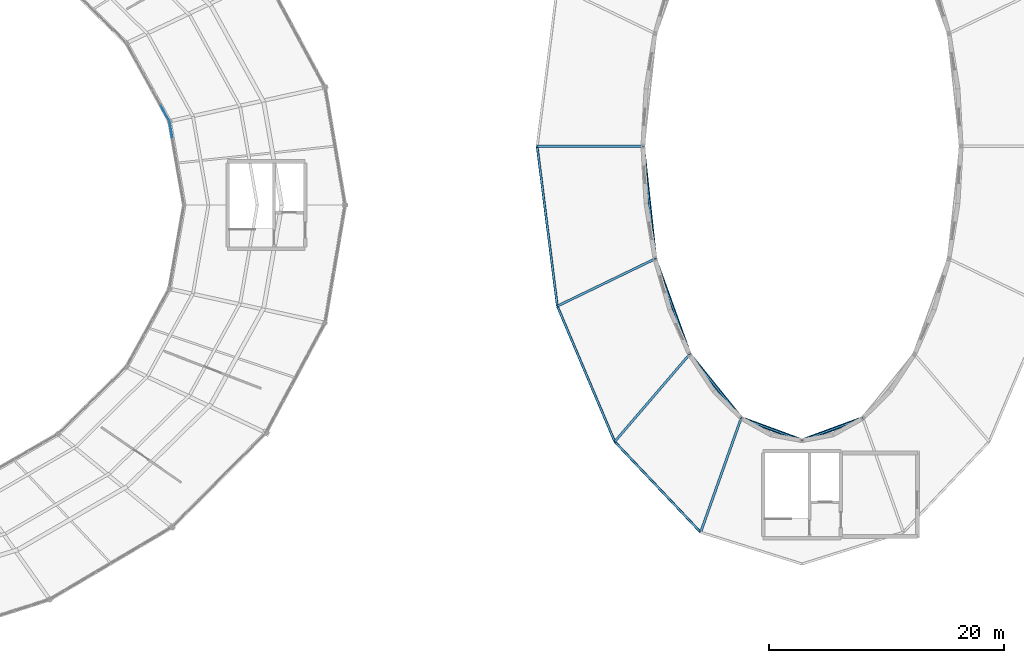
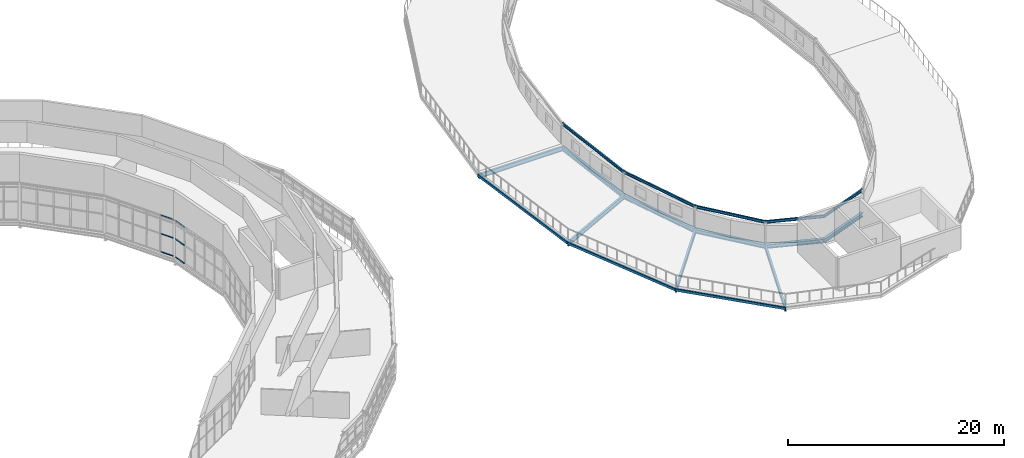
# One storey, part 66 of 123: 17 beams, 6 members, 2 elements without a shape of their own.
"""IFC4 building model written with IfcOpenShell, lengths in metres."""

from ifc_helpers import new_model, si_unit, direction, frame, origin, origin_2d, place, context, subcontext, project, spatial, rectangle, hollow_rectangle, i_section, extrude, material, material_profile, profile_set, type_object, element, aggregate, save


model = new_model("IFC4")

# Units and contexts
model_context = context("Model", 3, precision=1e-05, world=origin(), true_north=direction((0.0, 1.0)))
body_context = subcontext(model_context, "Body", "Model", "MODEL_VIEW")
ifc_project = project(units=[si_unit("LENGTHUNIT", "METRE"), si_unit("AREAUNIT", "SQUARE_METRE"), si_unit("VOLUMEUNIT", "CUBIC_METRE"), si_unit("PLANEANGLEUNIT", "RADIAN"), si_unit("MASSUNIT", "GRAM", prefix="KILO")], contexts=[model_context])

# Site, building, storey
site_placement = place(None, origin())
site = spatial("IfcSite", under=ifc_project, at=site_placement, CompositionType="ELEMENT")
building_placement = place(site_placement, origin())
building = spatial("IfcBuilding", under=site, at=building_placement, Name="Kildeholm Park Wholesale Market", CompositionType="ELEMENT")
storey_placement = place(building_placement, frame((0.0, 0.0, 9.60009765625)))
storey = spatial("IfcBuildingStorey", under=building, at=storey_placement, Name="L02", CompositionType="ELEMENT", Elevation=9.60009765625)

# Beams
ifc_material_1 = material(Name="Steel S355", Category="steel")
ifc_material_profile_1 = material_profile(ifc_material_1, i_section(OverallWidth=0.14990234375, OverallDepth=0.300048828125, WebThickness=0.007080078125, FlangeThickness=0.0107421875, FilletRadius=0.014892578125, at=origin_2d()), Name="IPE 300")
ifc_profile_set_1 = profile_set([ifc_material_profile_1], Name="Steel S355")
beam_type_1 = type_object("IfcBeamType", Name="Beam B-C01 IPE 300", PredefinedType="BEAM", material=ifc_profile_set_1)
beam_1_placement = place(storey_placement, frame((174.5, 94.5, 2.219970703125), z_axis=(0.106846684142, -0.99427550814, 0.0), x_axis=(0.99427550814, 0.106846684142, 0.0)))
element("IfcBeam", 1, at=beam_1_placement, inside=storey, type_object=beam_type_1, Name="Beam BM-V2-RF-CI-08 BM-0423", PredefinedType="BEAM", context=body_context, shape_type="SweptSolid", body=[
    extrude(i_section(OverallWidth=0.14990234375, OverallDepth=0.300048828125, WebThickness=0.007080078125, FlangeThickness=0.0107421875, FilletRadius=0.014892578125, at=origin_2d()), origin(), (0.0, 0.0, 1.0), 9.6220703125),
])
beam_2_placement = place(storey_placement, frame((175.528076171875, 84.93310546875, 2.216796875), z_axis=(0.339339006409, -0.940664147679, 0.0), x_axis=(0.940664147679, 0.339339006409, 0.0)))
element("IfcBeam", 2, at=beam_2_placement, inside=storey, type_object=beam_type_1, Name="Beam BM-V2-RF-CI-09 BM-0430", PredefinedType="BEAM", context=body_context, shape_type="SweptSolid", body=[
    extrude(i_section(OverallWidth=0.14990234375, OverallDepth=0.300048828125, WebThickness=0.007080078125, FlangeThickness=0.0107421875, FilletRadius=0.014892578125, at=origin_2d()), origin(), (0.0, 0.0, 1.0), 8.622802734375),
])
beam_3_placement = place(storey_placement, frame((178.4541015625, 76.822021484375, 2.2158203125), z_axis=(0.628601322688, -0.777727701136, 0.0), x_axis=(0.777727701136, 0.628601322688, 0.0)))
element("IfcBeam", 3, at=beam_3_placement, inside=storey, type_object=beam_type_1, Name="Beam BM-V2-RF-CI-10 BM-0437", PredefinedType="BEAM", context=body_context, shape_type="SweptSolid", body=[
    extrude(i_section(OverallWidth=0.14990234375, OverallDepth=0.300048828125, WebThickness=0.007080078125, FlangeThickness=0.0107421875, FilletRadius=0.014892578125, at=origin_2d()), origin(), (0.0, 0.0, 1.0), 6.9677734375),
])
for number, where, z_axis, x_axis, name in (
    (4, (182.833984375, 71.403076171875, 2.216796875), (0.93835447313, -0.345674532989, 0.0), (0.345674532989, 0.93835447313, 0.0), "Beam BM-V2-RF-CI-11 BM-0444"),
    (5, (188.0, 69.5, 2.216796875), (0.93835447313, 0.345674532989, 0.0), (-0.345674532989, 0.93835447313, 0.0), "Beam BM-V2-RF-CI-12 BM-0449"),
):
    element("IfcBeam", number, at=place(storey_placement, frame(where, z_axis=z_axis, x_axis=x_axis)), inside=storey, type_object=beam_type_1, Name=name, PredefinedType="BEAM", context=body_context, shape_type="SweptSolid", body=[
        extrude(i_section(OverallWidth=0.14990234375, OverallDepth=0.300048828125, WebThickness=0.007080078125, FlangeThickness=0.0107421875, FilletRadius=0.014892578125, at=origin_2d()), origin(), (0.0, 0.0, 1.0), 5.50537109375),
    ])
ifc_material_profile_2 = material_profile(ifc_material_1, i_section(OverallWidth=0.199951171875, OverallDepth=0.5, WebThickness=0.01025390625, FlangeThickness=0.01611328125, FilletRadius=0.02099609375, at=origin_2d()), Name="IPE 500")
ifc_profile_set_2 = profile_set([ifc_material_profile_2], Name="Steel S355")
beam_type_2 = type_object("IfcBeamType", Name="Beam B-P03 IPE 500", PredefinedType="BEAM", material=ifc_profile_set_2)
beam_4_placement = place(storey_placement, frame((174.5, 94.5, -0.5400390625), z_axis=(-1.0, 0.0, 0.0), x_axis=(0.0, -1.0, 0.0)))
element("IfcBeam", 6, at=beam_4_placement, inside=storey, type_object=beam_type_2, Name="Beam BM-V2-L02-R-08 BM-0418", PredefinedType="BEAM", context=body_context, shape_type="SweptSolid", body=[
    extrude(i_section(OverallWidth=0.199951171875, OverallDepth=0.5, WebThickness=0.01025390625, FlangeThickness=0.01611328125, FilletRadius=0.02099609375, at=origin_2d()), origin(), (0.0, 0.0, 1.0), 9.0),
])
beam_5_placement = place(storey_placement, frame((175.528076171875, 84.93310546875, -0.5400390625), z_axis=(-0.900388826514, -0.435086153639, 0.0), x_axis=(0.435086153639, -0.900388826514, 0.0)))
element("IfcBeam", 7, at=beam_5_placement, inside=storey, type_object=beam_type_2, Name="Beam BM-V2-L02-R-09 BM-0425", PredefinedType="BEAM", context=body_context, shape_type="SweptSolid", body=[
    extrude(i_section(OverallWidth=0.199951171875, OverallDepth=0.5, WebThickness=0.01025390625, FlangeThickness=0.01611328125, FilletRadius=0.02099609375, at=origin_2d()), origin(), (0.0, 0.0, 1.0), 9.235107421875),
])
beam_6_placement = place(storey_placement, frame((178.4541015625, 76.822021484375, -0.5400390625), z_axis=(-0.650822214859, -0.75923016579, 0.0), x_axis=(0.75923016579, -0.650822214859, 0.0)))
element("IfcBeam", 8, at=beam_6_placement, inside=storey, type_object=beam_type_2, Name="Beam BM-V2-L02-R-10 BM-0432", PredefinedType="BEAM", context=body_context, shape_type="SweptSolid", body=[
    extrude(i_section(OverallWidth=0.199951171875, OverallDepth=0.5, WebThickness=0.01025390625, FlangeThickness=0.01611328125, FilletRadius=0.02099609375, at=origin_2d()), origin(), (0.0, 0.0, 1.0), 9.7783203125),
])
beam_7_placement = place(storey_placement, frame((182.833984375, 71.403076171875, -0.5400390625), z_axis=(-0.334560005007, -0.942374449489, 0.0), x_axis=(0.942374449489, -0.334560005007, 0.0)))
element("IfcBeam", 9, at=beam_7_placement, inside=storey, type_object=beam_type_2, Name="Beam BM-V2-L02-R-11 BM-0439", PredefinedType="BEAM", context=body_context, shape_type="SweptSolid", body=[
    extrude(i_section(OverallWidth=0.199951171875, OverallDepth=0.5, WebThickness=0.01025390625, FlangeThickness=0.01611328125, FilletRadius=0.02099609375, at=origin_2d()), origin(), (0.0, 0.0, 1.0), 10.29443359375),
])
ifc_material_profile_3 = material_profile(ifc_material_1, i_section(OverallWidth=0.300048828125, OverallDepth=0.43994140625, WebThickness=0.011474609375, FlangeThickness=0.02099609375, FilletRadius=0.027099609375, at=origin_2d()), Name="HEA 450")
ifc_profile_set_3 = profile_set([ifc_material_profile_3], Name="Steel S355")
beam_type_3 = type_object("IfcBeamType", Name="Beam B-R02 HEA 450", PredefinedType="BEAM", material=ifc_profile_set_3)
beam_8_placement = place(storey_placement, frame((174.5, 94.5, -0.510009765625), z_axis=(0.106846684142, -0.99427550814, 0.0), x_axis=(0.99427550814, 0.106846684142, 0.0)))
element("IfcBeam", 10, at=beam_8_placement, inside=storey, type_object=beam_type_3, Name="Beam BM-V2-L02-CI-08 BM-0421", PredefinedType="BEAM", context=body_context, shape_type="SweptSolid", body=[
    extrude(i_section(OverallWidth=0.300048828125, OverallDepth=0.43994140625, WebThickness=0.011474609375, FlangeThickness=0.02099609375, FilletRadius=0.027099609375, at=origin_2d()), origin(), (0.0, 0.0, 1.0), 9.6220703125),
])
beam_9_placement = place(storey_placement, frame((175.528076171875, 84.93310546875, -0.510009765625), z_axis=(0.339339006409, -0.940664147679, 0.0), x_axis=(0.940664147679, 0.339339006409, 0.0)))
element("IfcBeam", 11, at=beam_9_placement, inside=storey, type_object=beam_type_3, Name="Beam BM-V2-L02-CI-09 BM-0428", PredefinedType="BEAM", context=body_context, shape_type="SweptSolid", body=[
    extrude(i_section(OverallWidth=0.300048828125, OverallDepth=0.43994140625, WebThickness=0.011474609375, FlangeThickness=0.02099609375, FilletRadius=0.027099609375, at=origin_2d()), origin(), (0.0, 0.0, 1.0), 8.622802734375),
])
beam_10_placement = place(storey_placement, frame((178.4541015625, 76.822021484375, -0.510009765625), z_axis=(0.628601322688, -0.777727701136, 0.0), x_axis=(0.777727701136, 0.628601322688, 0.0)))
element("IfcBeam", 12, at=beam_10_placement, inside=storey, type_object=beam_type_3, Name="Beam BM-V2-L02-CI-10 BM-0435", PredefinedType="BEAM", context=body_context, shape_type="SweptSolid", body=[
    extrude(i_section(OverallWidth=0.300048828125, OverallDepth=0.43994140625, WebThickness=0.011474609375, FlangeThickness=0.02099609375, FilletRadius=0.027099609375, at=origin_2d()), origin(), (0.0, 0.0, 1.0), 6.9677734375),
])
for number, where, z_axis, x_axis, name in (
    (13, (182.833984375, 71.403076171875, -0.510009765625), (0.93835447313, -0.345674532989, 0.0), (0.345674532989, 0.93835447313, 0.0), "Beam BM-V2-L02-CI-11 BM-0442"),
    (14, (188.0, 69.5, -0.510009765625), (0.93835447313, 0.345674532989, 0.0), (-0.345674532989, 0.93835447313, 0.0), "Beam BM-V2-L02-CI-12 BM-0447"),
):
    element("IfcBeam", number, at=place(storey_placement, frame(where, z_axis=z_axis, x_axis=x_axis)), inside=storey, type_object=beam_type_3, Name=name, PredefinedType="BEAM", context=body_context, shape_type="SweptSolid", body=[
        extrude(i_section(OverallWidth=0.300048828125, OverallDepth=0.43994140625, WebThickness=0.011474609375, FlangeThickness=0.02099609375, FilletRadius=0.027099609375, at=origin_2d()), origin(), (0.0, 0.0, 1.0), 5.50537109375),
    ])
ifc_material_profile_4 = material_profile(ifc_material_1, hollow_rectangle(XDim=0.199951171875, YDim=0.300048828125, WallThickness=0.012451171875, InnerFilletRadius=0.012451171875, OuterFilletRadius=0.02490234375, at=origin_2d()), Name="RHS 300x200x12.5")
ifc_profile_set_4 = profile_set([ifc_material_profile_4], Name="Steel S355")
beam_type_4 = type_object("IfcBeamType", Name="Beam SP-01 RHS 300x200x12.5", PredefinedType="SPANDREL", material=ifc_profile_set_4)
beam_11_placement = place(storey_placement, frame((165.5, 94.5, -0.440185546875), z_axis=(0.125096795787, -0.99214454173, 0.0), x_axis=(0.99214454173, 0.125096795787, 0.0)))
element("IfcBeam", 15, at=beam_11_placement, inside=storey, type_object=beam_type_4, Name="Beam BM-V2-L02-CO-08 BM-0422", PredefinedType="SPANDREL", context=body_context, shape_type="SweptSolid", body=[
    extrude(hollow_rectangle(XDim=0.199951171875, YDim=0.300048828125, WallThickness=0.012451171875, InnerFilletRadius=0.012451171875, OuterFilletRadius=0.02490234375, at=origin_2d()), origin(), (0.0, 0.0, 1.0), 13.692626953125),
])
beam_12_placement = place(storey_placement, frame((167.212890625, 80.9150390625, -0.440185546875), z_axis=(0.389950720924, -0.920835726528, 0.0), x_axis=(0.920835726528, 0.389950720924, 0.0)))
element("IfcBeam", 16, at=beam_12_placement, inside=storey, type_object=beam_type_4, Name="Beam BM-V2-L02-CO-09 BM-0429", PredefinedType="SPANDREL", context=body_context, shape_type="SweptSolid", body=[
    extrude(hollow_rectangle(XDim=0.199951171875, YDim=0.300048828125, WallThickness=0.012451171875, InnerFilletRadius=0.012451171875, OuterFilletRadius=0.02490234375, at=origin_2d()), origin(), (0.0, 0.0, 1.0), 12.50732421875),
])
beam_13_placement = place(storey_placement, frame((172.090087890625, 69.39794921875, -0.440185546875), z_axis=(0.688182467753, -0.725537656554, 0.0), x_axis=(0.725537656554, 0.688182467753, 0.0)))
element("IfcBeam", 17, at=beam_13_placement, inside=storey, type_object=beam_type_4, Name="Beam BM-V2-L02-CO-10 BM-0436", PredefinedType="SPANDREL", context=body_context, shape_type="SweptSolid", body=[
    extrude(hollow_rectangle(XDim=0.199951171875, YDim=0.300048828125, WallThickness=0.012451171875, InnerFilletRadius=0.012451171875, OuterFilletRadius=0.02490234375, at=origin_2d()), origin(), (0.0, 0.0, 1.0), 10.607421875),
])

# Curtain wall, members
ifc_material_2 = material(Name="Anodised aluminium and low-E double-glazed glass", Category="aluminium")
curtain_wall_type = type_object("IfcCurtainWallType", Name="Clerestory daylight stick curtain wall CW-02", PredefinedType="NOTDEFINED", material=ifc_material_2)
curtain_wall_1_placement = place(storey_placement, origin())
curtain_wall_1 = element("IfcCurtainWall", 18, at=curtain_wall_1_placement, inside=storey, type_object=curtain_wall_type, Name="Curtain wall CW-V1-IN2-00 CW-0005", PredefinedType="NOTDEFINED")
ifc_material_3 = material(Name="Anodised aluminium", Category="aluminium")
ifc_material_profile_5 = material_profile(ifc_material_3, rectangle(XDim=0.06005859375, YDim=0.1201171875, at=origin_2d()), Name="CWT 60x120")
ifc_profile_set_5 = profile_set([ifc_material_profile_5], Name="Anodised aluminium")
member_type = type_object("IfcMemberType", Name="Curtain-wall transom CWT-3 CWT 60x120", PredefinedType="USERDEFINED", material=ifc_profile_set_5)
member_1_placement = place(storey_placement, frame((134.5107421875, 95.20068359375, 0.02978515625), z_axis=(-0.172110548446, 0.98507764116, 0.0), x_axis=(-0.98507764116, -0.172110548446, 0.0)))
member_1 = element("IfcMember", 19, at=member_1_placement, type_object=member_type, Name="CW-02 transom 5.1 MEM-0516", ObjectType="TRANSOM", PredefinedType="USERDEFINED", context=body_context, shape_type="SweptSolid", body=[
    extrude(rectangle(XDim=0.06005859375, YDim=0.1201171875, at=origin_2d()), origin(), (0.0, 0.0, 1.0), 1.339111328125),
])
member_2_placement = place(storey_placement, frame((134.5107421875, 95.20068359375, 2.074951171875), z_axis=(-0.172110548446, 0.98507764116, 0.0), x_axis=(-0.98507764116, -0.172110548446, 0.0)))
member_2 = element("IfcMember", 20, at=member_2_placement, type_object=member_type, Name="CW-02 transom 5.2 MEM-0517", ObjectType="TRANSOM", PredefinedType="USERDEFINED", context=body_context, shape_type="SweptSolid", body=[
    extrude(rectangle(XDim=0.06005859375, YDim=0.1201171875, at=origin_2d()), origin(), (0.0, 0.0, 1.0), 1.339111328125),
])
member_3_placement = place(storey_placement, frame((134.5107421875, 95.20068359375, 4.119873046875), z_axis=(-0.172110548446, 0.98507764116, 0.0), x_axis=(-0.98507764116, -0.172110548446, 0.0)))
member_3 = element("IfcMember", 21, at=member_3_placement, type_object=member_type, Name="CW-02 transom 5.3 MEM-0518", ObjectType="TRANSOM", PredefinedType="USERDEFINED", context=body_context, shape_type="SweptSolid", body=[
    extrude(rectangle(XDim=0.06005859375, YDim=0.1201171875, at=origin_2d()), origin(), (0.0, 0.0, 1.0), 1.339111328125),
])
aggregate(curtain_wall_1, [member_1, member_2, member_3])

curtain_wall_2_placement = place(storey_placement, origin())
curtain_wall_2 = element("IfcCurtainWall", 22, at=curtain_wall_2_placement, inside=storey, type_object=curtain_wall_type, Name="Curtain wall CW-V1-IN2-01 CW-0010", PredefinedType="NOTDEFINED")
member_4_placement = place(storey_placement, frame((134.214111328125, 96.70654296875, 0.02978515625), z_axis=(-0.481692421083, 0.876340351388, 0.0), x_axis=(-0.876340351388, -0.481692421083, 0.0)))
member_4 = element("IfcMember", 23, at=member_4_placement, type_object=member_type, Name="CW-02 transom 1.1 MEM-0629", ObjectType="TRANSOM", PredefinedType="USERDEFINED", context=body_context, shape_type="SweptSolid", body=[
    extrude(rectangle(XDim=0.06005859375, YDim=0.1201171875, at=origin_2d()), origin(), (0.0, 0.0, 1.0), 1.407958984375),
])
member_5_placement = place(storey_placement, frame((134.214111328125, 96.70654296875, 2.074951171875), z_axis=(-0.481692421083, 0.876340351388, 0.0), x_axis=(-0.876340351388, -0.481692421083, 0.0)))
member_5 = element("IfcMember", 24, at=member_5_placement, type_object=member_type, Name="CW-02 transom 1.2 MEM-0630", ObjectType="TRANSOM", PredefinedType="USERDEFINED", context=body_context, shape_type="SweptSolid", body=[
    extrude(rectangle(XDim=0.06005859375, YDim=0.1201171875, at=origin_2d()), origin(), (0.0, 0.0, 1.0), 1.407958984375),
])
member_6_placement = place(storey_placement, frame((134.214111328125, 96.70654296875, 4.119873046875), z_axis=(-0.481692421083, 0.876340351388, 0.0), x_axis=(-0.876340351388, -0.481692421083, 0.0)))
member_6 = element("IfcMember", 25, at=member_6_placement, type_object=member_type, Name="CW-02 transom 1.3 MEM-0631", ObjectType="TRANSOM", PredefinedType="USERDEFINED", context=body_context, shape_type="SweptSolid", body=[
    extrude(rectangle(XDim=0.06005859375, YDim=0.1201171875, at=origin_2d()), origin(), (0.0, 0.0, 1.0), 1.407958984375),
])
aggregate(curtain_wall_2, [member_4, member_5, member_6])

save(model, "model.ifc")
